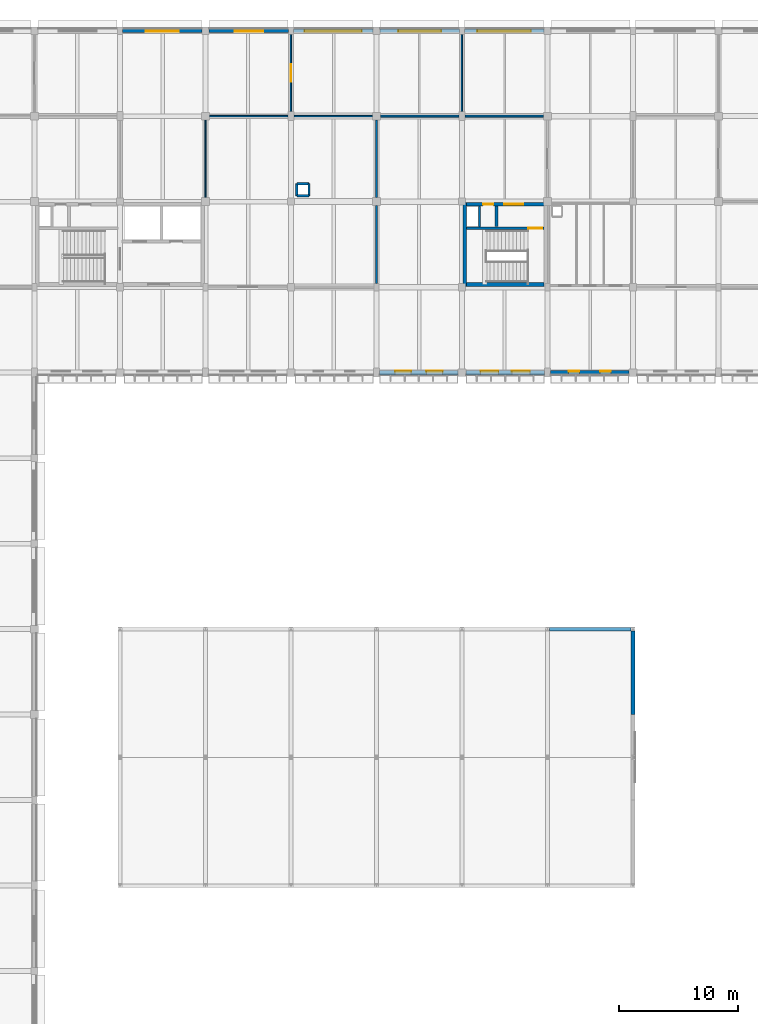
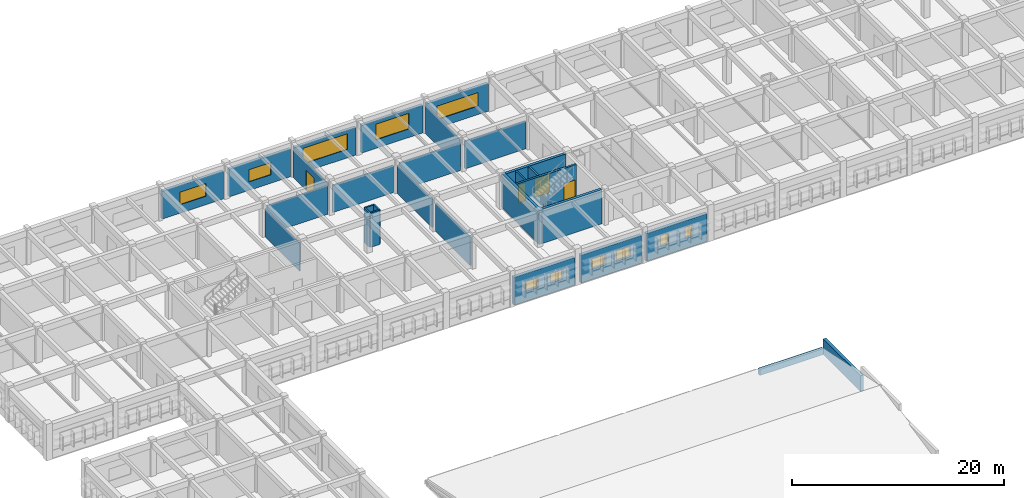
# One storey, part 88 of 103: 29 walls, 11 windows, 4 doors, 15 openings.
"""IFC4 building model written with IfcOpenShell, lengths in metres."""

from ifc_helpers import new_model, si_unit, direction, frame, frame_2d, origin, place, context, subcontext, project, spatial, rectangle, extrude, material, layer, layer_set, type_object, element, fill, save


model = new_model("IFC4")

# Units and contexts
model_context = context("Model", 3, precision=1e-05, world=origin(), true_north=direction((0.0, 1.0)))
body_context = subcontext(model_context, "Body", "Model", "MODEL_VIEW")
ifc_project = project(units=[si_unit("LENGTHUNIT", "METRE"), si_unit("AREAUNIT", "SQUARE_METRE"), si_unit("VOLUMEUNIT", "CUBIC_METRE"), si_unit("PLANEANGLEUNIT", "RADIAN"), si_unit("MASSUNIT", "GRAM", prefix="KILO")], contexts=[model_context])

# Site, building, storey
site_placement = place(None, origin())
site = spatial("IfcSite", under=ifc_project, at=site_placement, CompositionType="ELEMENT")
building_placement = place(site_placement, origin())
building = spatial("IfcBuilding", under=site, at=building_placement, Name="Thalmaran Polytechnic", CompositionType="ELEMENT")
storey_placement = place(building_placement, frame((0.0, 0.0, 14.39990234375)))
storey = spatial("IfcBuildingStorey", under=building, at=storey_placement, Name="L03", CompositionType="ELEMENT", Elevation=14.39990234375)

# Wall, openings, windows
ifc_material_1 = material(Name="Precast concrete C40/50", Category="concrete")
ifc_layer_1 = layer(ifc_material_1, 0.360107421875, Name="Precast concrete C40/50")
ifc_layer_set_1 = layer_set([ifc_layer_1], Name="Precast concrete C40/50")
wall_type_1 = type_object("IfcWallType", Name="WL-EW01", PredefinedType="STANDARD", material=ifc_layer_set_1)
wall_1_placement = place(storey_placement, frame((71.675048828125, 93.60009765625, 0.0), z_axis=(0.0, 0.0, 1.0), x_axis=(-1.0, 0.0, 0.0)))
wall_1 = element("IfcWall", 1, at=wall_1_placement, inside=storey, type_object=wall_type_1, Name="Exterior Precast Facade Wall L03-082", PredefinedType="STANDARD", context=body_context, shape_type="SweptSolid", body=[
    extrude(rectangle(XDim=6.625, YDim=0.360107421875, at=frame_2d((3.3125, 0.0))), origin(), (0.0, 0.0, 1.0), 3.18505859375),
])
opening_1_placement = place(wall_1_placement, frame((1.53759765625, 0.0, 1.14990234375)))
opening_1 = element("IfcOpeningElement", 2, at=opening_1_placement, cuts=wall_1, Name="Opening PW13", PredefinedType="OPENING", context=body_context, shape_type="SweptSolid", body=[
    extrude(rectangle(XDim=0.89990234375, YDim=1.300048828125, at=frame_2d((0.449951171875, 0.64990234375))), frame((0.0, 0.18994140625, 0.0), z_axis=(0.0, -1.0, 0.0), x_axis=(1.0, 0.0, 0.0)), (0.0, 0.0, 1.0), 0.380126953125),
])
opening_2_placement = place(wall_1_placement, frame((4.1875, 0.0, 1.14990234375)))
opening_2 = element("IfcOpeningElement", 3, at=opening_2_placement, cuts=wall_1, Name="Opening PW13", PredefinedType="OPENING", context=body_context, shape_type="SweptSolid", body=[
    extrude(rectangle(XDim=0.89990234375, YDim=1.300048828125, at=frame_2d((0.449951171875, 0.64990234375))), frame((0.0, 0.18994140625, 0.0), z_axis=(0.0, -1.0, 0.0), x_axis=(1.0, 0.0, 0.0)), (0.0, 0.0, 1.0), 0.380126953125),
])
ifc_material_2 = material(Name="Thermally broken aluminium and double low-E glass", Category="aluminium")
window_type_1 = type_object("IfcWindowType", Name="WN-PW03", PartitioningType="SINGLE_PANEL", PredefinedType="WINDOW", material=ifc_material_2)
window_1_placement = place(opening_1_placement, origin())
window_1 = element("IfcWindow", 4, at=window_1_placement, inside=storey, type_object=window_type_1, Name="Deep-Set Solar-Screened Window W-0493", OverallHeight=1.300048828125, OverallWidth=0.89990234375, PartitioningType="SINGLE_PANEL", PredefinedType="WINDOW", context=body_context, shape_type="SweptSolid", body=[
    extrude(rectangle(XDim=0.89990234375, YDim=1.300048828125, at=frame_2d((0.449951171875, 0.64990234375))), frame((0.0, -0.080078125, 0.0), z_axis=(0.0, -1.0, 0.0), x_axis=(1.0, 0.0, 0.0)), (0.0, 0.0, 1.0), 0.06005859375),
])
fill(opening_1, window_1)
window_2_placement = place(opening_2_placement, origin())
window_2 = element("IfcWindow", 5, at=window_2_placement, inside=storey, type_object=window_type_1, Name="Deep-Set Solar-Screened Window W-0494", OverallHeight=1.300048828125, OverallWidth=0.89990234375, PartitioningType="SINGLE_PANEL", PredefinedType="WINDOW", context=body_context, shape_type="SweptSolid", body=[
    extrude(rectangle(XDim=0.89990234375, YDim=1.300048828125, at=frame_2d((0.449951171875, 0.64990234375))), frame((0.0, -0.080078125, 0.0), z_axis=(0.0, -1.0, 0.0), x_axis=(1.0, 0.0, 0.0)), (0.0, 0.0, 1.0), 0.06005859375),
])
fill(opening_2, window_2)

wall_2_placement = place(storey_placement, frame((64.550048828125, 93.60009765625, 0.0), z_axis=(0.0, 0.0, 1.0), x_axis=(-1.0, 0.0, 0.0)))
wall_2 = element("IfcWall", 6, at=wall_2_placement, inside=storey, type_object=wall_type_1, Name="Exterior Precast Facade Wall L03-083", PredefinedType="STANDARD", context=body_context, shape_type="SweptSolid", body=[
    extrude(rectangle(XDim=6.625, YDim=0.360107421875, at=frame_2d((3.3125, 0.0))), origin(), (0.0, 0.0, 1.0), 3.18505859375),
])
opening_3_placement = place(wall_2_placement, frame((1.237548828125, 0.0, 1.14990234375)))
opening_3 = element("IfcOpeningElement", 7, at=opening_3_placement, cuts=wall_2, Name="Opening PW14", PredefinedType="OPENING", context=body_context, shape_type="SweptSolid", body=[
    extrude(rectangle(XDim=1.5, YDim=1.199951171875, at=frame_2d((0.75, 0.60009765625))), frame((0.0, 0.18994140625, 0.0), z_axis=(0.0, -1.0, 0.0), x_axis=(1.0, 0.0, 0.0)), (0.0, 0.0, 1.0), 0.380126953125),
])
opening_4_placement = place(wall_2_placement, frame((3.887451171875, 0.0, 1.14990234375)))
opening_4 = element("IfcOpeningElement", 8, at=opening_4_placement, cuts=wall_2, Name="Opening PW14", PredefinedType="OPENING", context=body_context, shape_type="SweptSolid", body=[
    extrude(rectangle(XDim=1.5, YDim=1.199951171875, at=frame_2d((0.75, 0.60009765625))), frame((0.0, 0.18994140625, 0.0), z_axis=(0.0, -1.0, 0.0), x_axis=(1.0, 0.0, 0.0)), (0.0, 0.0, 1.0), 0.380126953125),
])
window_type_2 = type_object("IfcWindowType", Name="WN-PW04", PartitioningType="DOUBLE_PANEL_VERTICAL", PredefinedType="WINDOW", material=ifc_material_2)
window_3_placement = place(opening_3_placement, origin())
window_3 = element("IfcWindow", 9, at=window_3_placement, inside=storey, type_object=window_type_2, Name="Deep-Set Solar-Screened Window W-0495", OverallHeight=1.199951171875, OverallWidth=1.5, PartitioningType="SINGLE_PANEL", PredefinedType="WINDOW", context=body_context, shape_type="SweptSolid", body=[
    extrude(rectangle(XDim=1.5, YDim=1.199951171875, at=frame_2d((0.75, 0.60009765625))), frame((0.0, -0.080078125, 0.0), z_axis=(0.0, -1.0, 0.0), x_axis=(1.0, 0.0, 0.0)), (0.0, 0.0, 1.0), 0.06005859375),
])
fill(opening_3, window_3)
window_4_placement = place(opening_4_placement, origin())
window_4 = element("IfcWindow", 10, at=window_4_placement, inside=storey, type_object=window_type_2, Name="Deep-Set Solar-Screened Window W-0496", OverallHeight=1.199951171875, OverallWidth=1.5, PartitioningType="SINGLE_PANEL", PredefinedType="WINDOW", context=body_context, shape_type="SweptSolid", body=[
    extrude(rectangle(XDim=1.5, YDim=1.199951171875, at=frame_2d((0.75, 0.60009765625))), frame((0.0, -0.080078125, 0.0), z_axis=(0.0, -1.0, 0.0), x_axis=(1.0, 0.0, 0.0)), (0.0, 0.0, 1.0), 0.06005859375),
])
fill(opening_4, window_4)

wall_3_placement = place(storey_placement, frame((57.27490234375, 93.60009765625, 0.0), z_axis=(0.0, 0.0, 1.0), x_axis=(-1.0, 0.0, 0.0)))
wall_3 = element("IfcWall", 11, at=wall_3_placement, inside=storey, type_object=wall_type_1, Name="Exterior Precast Facade Wall L03-084", PredefinedType="STANDARD", context=body_context, shape_type="SweptSolid", body=[
    extrude(rectangle(XDim=6.625, YDim=0.360107421875, at=frame_2d((3.3125, 0.0))), origin(), (0.0, 0.0, 1.0), 3.18505859375),
])
opening_5_placement = place(wall_3_placement, frame((1.3125, 0.0, 1.14990234375)))
opening_5 = element("IfcOpeningElement", 12, at=opening_5_placement, cuts=wall_3, Name="Opening PW15", PredefinedType="OPENING", context=body_context, shape_type="SweptSolid", body=[
    extrude(rectangle(XDim=1.35009765625, YDim=1.10009765625, at=frame_2d((0.675048828125, 0.550048828125))), frame((0.0, 0.18994140625, 0.0), z_axis=(0.0, -1.0, 0.0), x_axis=(1.0, 0.0, 0.0)), (0.0, 0.0, 1.0), 0.380126953125),
])
opening_6_placement = place(wall_3_placement, frame((3.96240234375, 0.0, 1.14990234375)))
opening_6 = element("IfcOpeningElement", 13, at=opening_6_placement, cuts=wall_3, Name="Opening PW15", PredefinedType="OPENING", context=body_context, shape_type="SweptSolid", body=[
    extrude(rectangle(XDim=1.35009765625, YDim=1.10009765625, at=frame_2d((0.675048828125, 0.550048828125))), frame((0.0, 0.18994140625, 0.0), z_axis=(0.0, -1.0, 0.0), x_axis=(1.0, 0.0, 0.0)), (0.0, 0.0, 1.0), 0.380126953125),
])
window_type_3 = type_object("IfcWindowType", Name="WN-PW05", PartitioningType="SINGLE_PANEL", PredefinedType="WINDOW", material=ifc_material_2)
window_5_placement = place(opening_5_placement, origin())
window_5 = element("IfcWindow", 14, at=window_5_placement, inside=storey, type_object=window_type_3, Name="Deep-Set Solar-Screened Window W-0497", OverallHeight=1.10009765625, OverallWidth=1.35009765625, PartitioningType="SINGLE_PANEL", PredefinedType="WINDOW", context=body_context, shape_type="SweptSolid", body=[
    extrude(rectangle(XDim=1.35009765625, YDim=1.10009765625, at=frame_2d((0.675048828125, 0.550048828125))), frame((0.0, -0.080078125, 0.0), z_axis=(0.0, -1.0, 0.0), x_axis=(1.0, 0.0, 0.0)), (0.0, 0.0, 1.0), 0.06005859375),
])
fill(opening_5, window_5)
window_6_placement = place(opening_6_placement, origin())
window_6 = element("IfcWindow", 15, at=window_6_placement, inside=storey, type_object=window_type_3, Name="Deep-Set Solar-Screened Window W-0498", OverallHeight=1.10009765625, OverallWidth=1.35009765625, PartitioningType="SINGLE_PANEL", PredefinedType="WINDOW", context=body_context, shape_type="SweptSolid", body=[
    extrude(rectangle(XDim=1.35009765625, YDim=1.10009765625, at=frame_2d((0.675048828125, 0.550048828125))), frame((0.0, -0.080078125, 0.0), z_axis=(0.0, -1.0, 0.0), x_axis=(1.0, 0.0, 0.0)), (0.0, 0.0, 1.0), 0.06005859375),
])
fill(opening_6, window_6)

# Walls
ifc_layer_2 = layer(ifc_material_1, 0.31005859375, Name="Precast concrete C40/50")
ifc_layer_set_2 = layer_set([ifc_layer_2], Name="Precast concrete C40/50")
wall_type_2 = type_object("IfcWallType", Name="WL-EW03", PredefinedType="STANDARD", material=ifc_layer_set_2)
wall_4_placement = place(storey_placement, frame((71.85009765625, 72.0, -0.02001953125), z_axis=(0.0, 0.0, 1.0), x_axis=(-1.0, 0.0, 0.0)))
element("IfcWall", 16, at=wall_4_placement, inside=storey, type_object=wall_type_2, Name="Refectory Roof Eave Spandrel N-09", PredefinedType="STANDARD", context=body_context, shape_type="SweptSolid", body=[
    extrude(rectangle(XDim=6.900146484375, YDim=0.31005859375, at=frame_2d((3.4501953125, 0.0))), origin(), (0.0, 0.0, 1.0), 0.690185546875),
])
wall_5_placement = place(storey_placement, frame((72.0, 64.81005859375, 0.0), z_axis=(0.0, 0.0, 1.0), x_axis=(0.0, 1.0, 0.0)))
element("IfcWall", 17, at=wall_5_placement, inside=storey, type_object=wall_type_2, Name="Refectory East Gable Clerestory Wall 9", PredefinedType="STANDARD", context=body_context, shape_type="SweptSolid", body=[
    extrude(rectangle(XDim=7.0400390625, YDim=0.31005859375, at=frame_2d((3.52001953125, 0.0))), origin(), (0.0, 0.0, 1.0), 1.798828125),
])

# Wall, opening, window
wall_6_placement = place(storey_placement, frame((29.010009765625, 122.39990234375, 0.0), z_axis=(0.0, 0.0, 1.0), x_axis=(1.0, 0.0, 0.0)))
wall_6 = element("IfcWall", 18, at=wall_6_placement, inside=storey, type_object=wall_type_2, Name="Exterior Precast Facade Wall L03-060", PredefinedType="STANDARD", context=body_context, shape_type="SweptSolid", body=[
    extrude(rectangle(XDim=6.679931640625, YDim=0.31005859375, at=frame_2d((3.33984375, 0.0))), origin(), (0.0, 0.0, 1.0), 3.18505859375),
])
opening_7_placement = place(wall_6_placement, frame((1.93994140625, 0.0, 0.97998046875)))
opening_7 = element("IfcOpeningElement", 19, at=opening_7_placement, cuts=wall_6, Name="Opening RW05", PredefinedType="OPENING", context=body_context, shape_type="SweptSolid", body=[
    extrude(rectangle(XDim=2.800048828125, YDim=1.449951171875, at=frame_2d((1.39990234375, 0.72509765625))), frame((0.0, 0.1650390625, 0.0), z_axis=(0.0, -1.0, 0.0), x_axis=(1.0, 0.0, 0.0)), (0.0, 0.0, 1.0), 0.330078125),
])
window_type_4 = type_object("IfcWindowType", Name="WN-RW05", PartitioningType="DOUBLE_PANEL_VERTICAL", PredefinedType="WINDOW", material=ifc_material_2)
window_7_placement = place(opening_7_placement, origin())
window_7 = element("IfcWindow", 20, at=window_7_placement, inside=storey, type_object=window_type_4, Name="Streamline Ribbon Window W-0465", OverallHeight=1.449951171875, OverallWidth=2.800048828125, PartitioningType="SINGLE_PANEL", PredefinedType="WINDOW", context=body_context, shape_type="SweptSolid", body=[
    extrude(rectangle(XDim=2.800048828125, YDim=1.449951171875, at=frame_2d((1.39990234375, 0.72509765625))), frame((0.0, -0.030029296875, 0.0), z_axis=(0.0, -1.0, 0.0), x_axis=(1.0, 0.0, 0.0)), (0.0, 0.0, 1.0), 0.06005859375),
])
fill(opening_7, window_7)

wall_7_placement = place(storey_placement, frame((36.31005859375, 122.39990234375, 0.0), z_axis=(0.0, 0.0, 1.0), x_axis=(1.0, 0.0, 0.0)))
wall_7 = element("IfcWall", 21, at=wall_7_placement, inside=storey, type_object=wall_type_2, Name="Exterior Precast Facade Wall L03-061", PredefinedType="STANDARD", context=body_context, shape_type="SweptSolid", body=[
    extrude(rectangle(XDim=6.679931640625, YDim=0.31005859375, at=frame_2d((3.33984375, 0.0))), origin(), (0.0, 0.0, 1.0), 3.18505859375),
])
opening_8_placement = place(wall_7_placement, frame((2.139892578125, 0.0, 0.97998046875)))
opening_8 = element("IfcOpeningElement", 22, at=opening_8_placement, cuts=wall_7, Name="Opening RW06", PredefinedType="OPENING", context=body_context, shape_type="SweptSolid", body=[
    extrude(rectangle(XDim=2.39990234375, YDim=1.39990234375, at=frame_2d((1.199951171875, 0.699951171875))), frame((0.0, 0.1650390625, 0.0), z_axis=(0.0, -1.0, 0.0), x_axis=(1.0, 0.0, 0.0)), (0.0, 0.0, 1.0), 0.330078125),
])
window_type_5 = type_object("IfcWindowType", Name="WN-RW06", PartitioningType="DOUBLE_PANEL_VERTICAL", PredefinedType="WINDOW", material=ifc_material_2)
window_8_placement = place(opening_8_placement, origin())
window_8 = element("IfcWindow", 23, at=window_8_placement, inside=storey, type_object=window_type_5, Name="Streamline Ribbon Window W-0466", OverallHeight=1.39990234375, OverallWidth=2.39990234375, PartitioningType="SINGLE_PANEL", PredefinedType="WINDOW", context=body_context, shape_type="SweptSolid", body=[
    extrude(rectangle(XDim=2.39990234375, YDim=1.39990234375, at=frame_2d((1.199951171875, 0.699951171875))), frame((0.0, -0.030029296875, 0.0), z_axis=(0.0, -1.0, 0.0), x_axis=(1.0, 0.0, 0.0)), (0.0, 0.0, 1.0), 0.06005859375),
])
fill(opening_8, window_8)

wall_8_placement = place(storey_placement, frame((43.409912109375, 122.39990234375, 0.0), z_axis=(0.0, 0.0, 1.0), x_axis=(1.0, 0.0, 0.0)))
wall_8 = element("IfcWall", 24, at=wall_8_placement, inside=storey, type_object=wall_type_2, Name="Exterior Precast Facade Wall L03-062", PredefinedType="STANDARD", context=body_context, shape_type="SweptSolid", body=[
    extrude(rectangle(XDim=6.68017578125, YDim=0.31005859375, at=frame_2d((3.340087890625, 0.0))), origin(), (0.0, 0.0, 1.0), 3.18505859375),
])
opening_9_placement = place(wall_8_placement, frame((0.93994140625, 0.0, 0.97998046875)))
opening_9 = element("IfcOpeningElement", 25, at=opening_9_placement, cuts=wall_8, Name="Opening RW07", PredefinedType="OPENING", context=body_context, shape_type="SweptSolid", body=[
    extrude(rectangle(XDim=4.800048828125, YDim=1.800048828125, at=frame_2d((2.39990234375, 0.89990234375))), frame((0.0, 0.1650390625, 0.0), z_axis=(0.0, -1.0, 0.0), x_axis=(1.0, 0.0, 0.0)), (0.0, 0.0, 1.0), 0.330078125),
])
window_type_6 = type_object("IfcWindowType", Name="WN-RW07", PartitioningType="TRIPLE_PANEL_HORIZONTAL", PredefinedType="WINDOW", material=ifc_material_2)
window_9_placement = place(opening_9_placement, origin())
window_9 = element("IfcWindow", 26, at=window_9_placement, inside=storey, type_object=window_type_6, Name="Streamline Ribbon Window W-0467", OverallHeight=1.800048828125, OverallWidth=4.800048828125, PartitioningType="SINGLE_PANEL", PredefinedType="WINDOW", context=body_context, shape_type="SweptSolid", body=[
    extrude(rectangle(XDim=4.800048828125, YDim=1.800048828125, at=frame_2d((2.39990234375, 0.89990234375))), frame((0.0, -0.030029296875, 0.0), z_axis=(0.0, -1.0, 0.0), x_axis=(1.0, 0.0, 0.0)), (0.0, 0.0, 1.0), 0.06005859375),
])
fill(opening_9, window_9)

wall_9_placement = place(storey_placement, frame((50.7099609375, 122.39990234375, 0.0), z_axis=(0.0, 0.0, 1.0), x_axis=(1.0, 0.0, 0.0)))
wall_9 = element("IfcWall", 27, at=wall_9_placement, inside=storey, type_object=wall_type_2, Name="Exterior Precast Facade Wall L03-063", PredefinedType="STANDARD", context=body_context, shape_type="SweptSolid", body=[
    extrude(rectangle(XDim=6.679931640625, YDim=0.31005859375, at=frame_2d((3.33984375, 0.0))), origin(), (0.0, 0.0, 1.0), 3.18505859375),
])
opening_10_placement = place(wall_9_placement, frame((1.5400390625, 0.0, 0.97998046875)))
opening_10 = element("IfcOpeningElement", 28, at=opening_10_placement, cuts=wall_9, Name="Opening RW08", PredefinedType="OPENING", context=body_context, shape_type="SweptSolid", body=[
    extrude(rectangle(XDim=3.60009765625, YDim=1.800048828125, at=frame_2d((1.800048828125, 0.89990234375))), frame((0.0, 0.1650390625, 0.0), z_axis=(0.0, -1.0, 0.0), x_axis=(1.0, 0.0, 0.0)), (0.0, 0.0, 1.0), 0.330078125),
])
window_type_7 = type_object("IfcWindowType", Name="WN-RW08", PartitioningType="DOUBLE_PANEL_VERTICAL", PredefinedType="WINDOW", material=ifc_material_2)
window_10_placement = place(opening_10_placement, origin())
window_10 = element("IfcWindow", 29, at=window_10_placement, inside=storey, type_object=window_type_7, Name="Streamline Ribbon Window W-0468", OverallHeight=1.800048828125, OverallWidth=3.60009765625, PartitioningType="SINGLE_PANEL", PredefinedType="WINDOW", context=body_context, shape_type="SweptSolid", body=[
    extrude(rectangle(XDim=3.60009765625, YDim=1.800048828125, at=frame_2d((1.800048828125, 0.89990234375))), frame((0.0, -0.030029296875, 0.0), z_axis=(0.0, -1.0, 0.0), x_axis=(1.0, 0.0, 0.0)), (0.0, 0.0, 1.0), 0.06005859375),
])
fill(opening_10, window_10)

wall_10_placement = place(storey_placement, frame((57.81005859375, 122.39990234375, 0.0), z_axis=(0.0, 0.0, 1.0), x_axis=(1.0, 0.0, 0.0)))
wall_10 = element("IfcWall", 30, at=wall_10_placement, inside=storey, type_object=wall_type_2, Name="Exterior Precast Facade Wall L03-064", PredefinedType="STANDARD", context=body_context, shape_type="SweptSolid", body=[
    extrude(rectangle(XDim=6.679931640625, YDim=0.31005859375, at=frame_2d((3.33984375, 0.0))), origin(), (0.0, 0.0, 1.0), 3.18505859375),
])
opening_11_placement = place(wall_10_placement, frame((1.090087890625, 0.0, 0.97998046875)))
opening_11 = element("IfcOpeningElement", 31, at=opening_11_placement, cuts=wall_10, Name="Opening VW01", PredefinedType="OPENING", context=body_context, shape_type="SweptSolid", body=[
    extrude(rectangle(XDim=4.5, YDim=1.550048828125, at=frame_2d((2.25, 0.77490234375))), frame((0.0, 0.1650390625, 0.0), z_axis=(0.0, -1.0, 0.0), x_axis=(1.0, 0.0, 0.0)), (0.0, 0.0, 1.0), 0.330078125),
])
window_type_8 = type_object("IfcWindowType", Name="WN-VZ01", PartitioningType="TRIPLE_PANEL_HORIZONTAL", PredefinedType="WINDOW", material=ifc_material_2)
window_11_placement = place(opening_11_placement, origin())
window_11 = element("IfcWindow", 32, at=window_11_placement, inside=storey, type_object=window_type_8, Name="Streamline Ribbon Window W-0469", OverallHeight=1.550048828125, OverallWidth=4.5, PartitioningType="SINGLE_PANEL", PredefinedType="WINDOW", context=body_context, shape_type="SweptSolid", body=[
    extrude(rectangle(XDim=4.5, YDim=1.550048828125, at=frame_2d((2.25, 0.77490234375))), frame((0.0, -0.030029296875, 0.0), z_axis=(0.0, -1.0, 0.0), x_axis=(1.0, 0.0, 0.0)), (0.0, 0.0, 1.0), 0.06005859375),
])
fill(opening_11, window_11)

# Walls
ifc_material_3 = material(Name="Autoclaved aerated masonry", Category="masonry")
ifc_layer_3 = layer(ifc_material_3, 0.22998046875, Name="Autoclaved aerated masonry")
ifc_layer_set_3 = layer_set([ifc_layer_3], Name="Autoclaved aerated masonry")
wall_type_3 = type_object("IfcWallType", Name="WL-IW02", PredefinedType="PARTITIONING", material=ifc_layer_set_3)
wall_11_placement = place(storey_placement, frame((60.5, 105.89990234375, 0.0), z_axis=(0.0, 0.0, 1.0), x_axis=(0.0, 1.0, 0.0)))
element("IfcWall", 33, at=wall_11_placement, inside=storey, type_object=wall_type_3, Name="Core C6 Riser Partition L03", PredefinedType="PARTITIONING", context=body_context, shape_type="SweptSolid", body=[
    extrude(rectangle(XDim=1.739990234375, YDim=0.22998046875, at=frame_2d((0.8701171875, 0.0))), origin(), (0.0, 0.0, 1.0), 3.940185546875),
])
ifc_layer_4 = layer(ifc_material_3, 0.179931640625, Name="Autoclaved aerated masonry")
ifc_layer_set_4 = layer_set([ifc_layer_4], Name="Autoclaved aerated masonry")
wall_type_4 = type_object("IfcWallType", Name="WL-IW04", PredefinedType="PARTITIONING", material=ifc_layer_set_4)
wall_12_placement = place(storey_placement, frame((59.080078125, 105.8798828125, 0.0), z_axis=(0.0, 0.0, 1.0), x_axis=(0.0, 1.0, 0.0)))
element("IfcWall", 34, at=wall_12_placement, inside=storey, type_object=wall_type_4, Name="Core C6 Riser Shaft Enclosure Wall L03", PredefinedType="PARTITIONING", context=body_context, shape_type="SweptSolid", body=[
    extrude(rectangle(XDim=1.760009765625, YDim=0.179931640625, at=frame_2d((0.8798828125, 0.0))), origin(), (0.0, 0.0, 1.0), 3.940185546875),
])
for number, where, z_axis, x_axis, name in (
    (35, (43.68994140625, 108.489990234375, 0.0), (0.0, 0.0, 1.0), (1.0, 0.0, 0.0), "Fume Exhaust Riser Shaft Wall L03 (6,15)-S"),
    (36, (44.7099609375, 108.489990234375, 0.0), (0.0, 0.0, 1.0), (0.0, 1.0, 0.0), "Fume Exhaust Riser Shaft Wall L03 (6,15)-E"),
    (37, (44.7099609375, 109.510009765625, 0.0), (0.0, 0.0, 1.0), (-1.0, 0.0, 0.0), "Fume Exhaust Riser Shaft Wall L03 (6,15)-N"),
    (38, (43.68994140625, 109.510009765625, 0.0), (0.0, 0.0, 1.0), (0.0, -1.0, 0.0), "Fume Exhaust Riser Shaft Wall L03 (6,15)-W"),
):
    element("IfcWall", number, at=place(storey_placement, frame(where, z_axis=z_axis, x_axis=x_axis)), inside=storey, type_object=wall_type_4, Name=name, PredefinedType="PARTITIONING", context=body_context, shape_type="SweptSolid", body=[
        extrude(rectangle(XDim=1.02001953125, YDim=0.179931640625, at=frame_2d((0.510009765625, 0.0))), origin(), (0.0, 0.0, 1.0), 3.940185546875),
    ])
ifc_material_4 = material(Name="Gypsum acoustic partition")
ifc_layer_5 = layer(ifc_material_4, 0.159912109375, Name="Gypsum acoustic partition")
ifc_layer_set_5 = layer_set([ifc_layer_5], Name="Gypsum acoustic partition")
wall_type_5 = type_object("IfcWallType", Name="WL-IW05", PredefinedType="PARTITIONING", material=ifc_layer_set_5)
wall_13_placement = place(storey_placement, frame((50.39990234375, 101.125, 0.0), z_axis=(0.0, 0.0, 1.0), x_axis=(0.0, 1.0, 0.0)))
element("IfcWall", 39, at=wall_13_placement, inside=storey, type_object=wall_type_5, Name="Interior Partition IW05 L03-040", PredefinedType="PARTITIONING", context=body_context, shape_type="SweptSolid", body=[
    extrude(rectangle(XDim=6.530029296875, YDim=0.159912109375, at=frame_2d((3.26513671875, 0.0))), origin(), (0.0, 0.0, 1.0), 3.25),
])
wall_14_placement = place(storey_placement, frame((50.39990234375, 108.344970703125, 0.0), z_axis=(0.0, 0.0, 1.0), x_axis=(0.0, 1.0, 0.0)))
element("IfcWall", 40, at=wall_14_placement, inside=storey, type_object=wall_type_5, Name="Interior Partition IW05 L03-041", PredefinedType="PARTITIONING", context=body_context, shape_type="SweptSolid", body=[
    extrude(rectangle(XDim=6.525146484375, YDim=0.159912109375, at=frame_2d((3.2626953125, 0.0))), origin(), (0.0, 0.0, 1.0), 3.2451171875),
])
wall_15_placement = place(storey_placement, frame((50.72998046875, 115.199951171875, 0.0), z_axis=(0.0, 0.0, 1.0), x_axis=(1.0, 0.0, 0.0)))
element("IfcWall", 41, at=wall_15_placement, inside=storey, type_object=wall_type_5, Name="Interior Partition IW05 L03-043", PredefinedType="PARTITIONING", context=body_context, shape_type="SweptSolid", body=[
    extrude(rectangle(XDim=6.614990234375, YDim=0.159912109375, at=frame_2d((3.3076171875, 0.0))), origin(), (0.0, 0.0, 1.0), 3.16015625),
])
wall_16_placement = place(storey_placement, frame((57.85498046875, 115.199951171875, 0.0), z_axis=(0.0, 0.0, 1.0), x_axis=(1.0, 0.0, 0.0)))
element("IfcWall", 42, at=wall_16_placement, inside=storey, type_object=wall_type_5, Name="Interior Partition IW05 L03-046", PredefinedType="PARTITIONING", context=body_context, shape_type="SweptSolid", body=[
    extrude(rectangle(XDim=6.614990234375, YDim=0.159912109375, at=frame_2d((3.3076171875, 0.0))), origin(), (0.0, 0.0, 1.0), 3.190185546875),
])

# Wall, opening, door
ifc_layer_6 = layer(ifc_material_4, 0.1298828125, Name="Gypsum acoustic partition")
ifc_layer_set_6 = layer_set([ifc_layer_6], Name="Gypsum acoustic partition")
wall_type_6 = type_object("IfcWallType", Name="WL-IW07", PredefinedType="PARTITIONING", material=ifc_layer_set_6)
wall_17_placement = place(storey_placement, frame((43.199951171875, 115.580078125, 0.0), z_axis=(0.0, 0.0, 1.0), x_axis=(0.0, 1.0, 0.0)))
wall_17 = element("IfcWall", 43, at=wall_17_placement, inside=storey, type_object=wall_type_6, Name="Interior Partition IW07 L03-038", PredefinedType="PARTITIONING", context=body_context, shape_type="SweptSolid", body=[
    extrude(rectangle(XDim=6.494873046875, YDim=0.1298828125, at=frame_2d((3.24755859375, 0.0))), origin(), (0.0, 0.0, 1.0), 3.2451171875),
])
opening_12_placement = place(wall_17_placement, frame((2.507568359375, 0.0, 0.0)))
opening_12 = element("IfcOpeningElement", 44, at=opening_12_placement, cuts=wall_17, Name="Opening D-L03-021-2-11-1", PredefinedType="OPENING", context=body_context, shape_type="SweptSolid", body=[
    extrude(rectangle(XDim=1.47998046875, YDim=2.280029296875, at=frame_2d((0.739990234375, 1.14013671875))), frame((0.0, 0.074951171875, 0.0), z_axis=(0.0, -1.0, 0.0), x_axis=(1.0, 0.0, 0.0)), (0.0, 0.0, 1.0), 0.14990234375),
])
ifc_material_5 = material(Name="Powder-coated fire-rated steel", Category="steel")
door_type_1 = type_object("IfcDoorType", Name="DR-ZD09", OperationType="NOTDEFINED", PredefinedType="DOOR", material=ifc_material_5)
door_1_placement = place(opening_12_placement, origin())
door_1 = element("IfcDoor", 45, at=door_1_placement, inside=storey, type_object=door_type_1, Name="Digital Learning Commons L03-11 Door 1", OperationType="SINGLE_SWING_LEFT", OverallHeight=2.280029296875, OverallWidth=1.47998046875, PredefinedType="DOOR", context=body_context, shape_type="SweptSolid", body=[
    extrude(rectangle(XDim=1.47998046875, YDim=2.280029296875, at=frame_2d((0.739990234375, 1.14013671875))), frame((0.0, 0.02490234375, 0.0), z_axis=(0.0, -1.0, 0.0), x_axis=(1.0, 0.0, 0.0)), (0.0, 0.0, 1.0), 0.050048828125),
])
fill(opening_12, door_1)

# Walls
wall_18_placement = place(storey_placement, frame((43.455078125, 115.199951171875, 0.0), z_axis=(0.0, 0.0, 1.0), x_axis=(1.0, 0.0, 0.0)))
element("IfcWall", 46, at=wall_18_placement, inside=storey, type_object=wall_type_6, Name="Interior Partition IW07 L03-042", PredefinedType="PARTITIONING", context=body_context, shape_type="SweptSolid", body=[
    extrude(rectangle(XDim=6.614990234375, YDim=0.1298828125, at=frame_2d((3.3076171875, 0.0))), origin(), (0.0, 0.0, 1.0), 3.14013671875),
])
wall_19_placement = place(storey_placement, frame((57.60009765625, 115.580078125, 0.0), z_axis=(0.0, 0.0, 1.0), x_axis=(0.0, 1.0, 0.0)))
element("IfcWall", 47, at=wall_19_placement, inside=storey, type_object=wall_type_6, Name="Interior Partition IW07 L03-044", PredefinedType="PARTITIONING", context=body_context, shape_type="SweptSolid", body=[
    extrude(rectangle(XDim=6.494873046875, YDim=0.1298828125, at=frame_2d((3.24755859375, 0.0))), origin(), (0.0, 0.0, 1.0), 3.2451171875),
])
ifc_layer_7 = layer(ifc_material_4, 0.114990234375, Name="Gypsum acoustic partition")
ifc_layer_set_7 = layer_set([ifc_layer_7], Name="Gypsum acoustic partition")
wall_type_7 = type_object("IfcWallType", Name="WL-IW08", PredefinedType="PARTITIONING", material=ifc_layer_set_7)
wall_20_placement = place(storey_placement, frame((36.0, 108.344970703125, 0.0), z_axis=(0.0, 0.0, 1.0), x_axis=(0.0, 1.0, 0.0)))
element("IfcWall", 48, at=wall_20_placement, inside=storey, type_object=wall_type_7, Name="Interior Partition IW08 L03-035", PredefinedType="PARTITIONING", context=body_context, shape_type="SweptSolid", body=[
    extrude(rectangle(XDim=6.525146484375, YDim=0.114990234375, at=frame_2d((3.2626953125, 0.0))), origin(), (0.0, 0.0, 1.0), 3.2451171875),
])
wall_21_placement = place(storey_placement, frame((36.330078125, 115.199951171875, 0.0), z_axis=(0.0, 0.0, 1.0), x_axis=(1.0, 0.0, 0.0)))
element("IfcWall", 49, at=wall_21_placement, inside=storey, type_object=wall_type_7, Name="Interior Partition IW08 L03-037", PredefinedType="PARTITIONING", context=body_context, shape_type="SweptSolid", body=[
    extrude(rectangle(XDim=6.614990234375, YDim=0.114990234375, at=frame_2d((3.3076171875, 0.0))), origin(), (0.0, 0.0, 1.0), 3.300048828125),
])
ifc_material_6 = material(Name="Concrete C50/60", Category="concrete")
ifc_layer_8 = layer(ifc_material_6, 0.300048828125, Name="Concrete C50/60")
ifc_layer_set_8 = layer_set([ifc_layer_8], Name="Concrete C50/60")
wall_type_8 = type_object("IfcWallType", Name="WL-SW04", PredefinedType="SHEAR", material=ifc_layer_set_8)
wall_22_placement = place(storey_placement, frame((57.969970703125, 101.02001953125, 0.0), z_axis=(0.0, 0.0, 1.0), x_axis=(1.0, 0.0, 0.0)))
element("IfcWall", 50, at=wall_22_placement, inside=storey, type_object=wall_type_8, Name="Core C6 South Shear Wall L03", PredefinedType="SHEAR", context=body_context, shape_type="SweptSolid", body=[
    extrude(rectangle(XDim=6.5400390625, YDim=0.300048828125, at=frame_2d((3.27001953125, 0.0))), origin(), (0.0, 0.0, 1.0), 3.940185546875),
])
wall_23_placement = place(storey_placement, frame((57.820068359375, 107.929931640625, 0.0), z_axis=(0.0, 0.0, 1.0), x_axis=(0.0, -1.0, 0.0)))
element("IfcWall", 51, at=wall_23_placement, inside=storey, type_object=wall_type_8, Name="Core C6 West Shear Wall L03", PredefinedType="SHEAR", context=body_context, shape_type="SweptSolid", body=[
    extrude(rectangle(XDim=7.059814453125, YDim=0.300048828125, at=frame_2d((3.52978515625, 0.0))), origin(), (0.0, 0.0, 1.0), 3.940185546875),
])

# Wall, openings, doors
wall_24_placement = place(storey_placement, frame((57.969970703125, 107.780029296875, 0.0), z_axis=(0.0, 0.0, 1.0), x_axis=(1.0, 0.0, 0.0)))
wall_24 = element("IfcWall", 52, at=wall_24_placement, inside=storey, type_object=wall_type_8, Name="Core C6 North Shear Wall L03", PredefinedType="SHEAR", context=body_context, shape_type="SweptSolid", body=[
    extrude(rectangle(XDim=6.5400390625, YDim=0.300048828125, at=frame_2d((3.27001953125, 0.0))), origin(), (0.0, 0.0, 1.0), 3.940185546875),
])
opening_13_placement = place(wall_24_placement, frame((1.419921875, 0.0, 0.0)))
opening_13 = element("IfcOpeningElement", 53, at=opening_13_placement, cuts=wall_24, Name="Opening DR-C6-L03-R", PredefinedType="OPENING", context=body_context, shape_type="SweptSolid", body=[
    extrude(rectangle(XDim=0.85009765625, YDim=2.10009765625, at=frame_2d((0.425048828125, 1.050048828125))), frame((0.0, 0.159912109375, 0.0), z_axis=(0.0, -1.0, 0.0), x_axis=(1.0, 0.0, 0.0)), (0.0, 0.0, 1.0), 0.320068359375),
])
opening_14_placement = place(wall_24_placement, frame((3.199951171875, 0.0, 0.0)))
opening_14 = element("IfcOpeningElement", 54, at=opening_14_placement, cuts=wall_24, Name="Opening LD-C6-L03", PredefinedType="OPENING", context=body_context, shape_type="SweptSolid", body=[
    extrude(rectangle(XDim=1.60009765625, YDim=2.199951171875, at=frame_2d((0.800048828125, 1.10009765625))), frame((0.0, 0.159912109375, 0.0), z_axis=(0.0, -1.0, 0.0), x_axis=(1.0, 0.0, 0.0)), (0.0, 0.0, 1.0), 0.320068359375),
])
door_type_2 = type_object("IfcDoorType", Name="DR-FD05", OperationType="NOTDEFINED", PredefinedType="DOOR", material=ifc_material_5)
door_2_placement = place(opening_14_placement, frame((1.60009765625, 0.0, 0.0), z_axis=(0.0, 0.0, 1.0), x_axis=(-1.0, 0.0, 0.0)))
door_2 = element("IfcDoor", 55, at=door_2_placement, inside=storey, type_object=door_type_2, Name="Stair Lobby Fire Door C6 L03", OperationType="DOUBLE_DOOR_SINGLE_SWING", OverallHeight=2.199951171875, OverallWidth=1.60009765625, PredefinedType="DOOR", context=body_context, shape_type="SweptSolid", body=[
    extrude(rectangle(XDim=1.60009765625, YDim=2.199951171875, at=frame_2d((0.800048828125, 1.10009765625))), frame((0.0, 0.02490234375, 0.0), z_axis=(0.0, -1.0, 0.0), x_axis=(1.0, 0.0, 0.0)), (0.0, 0.0, 1.0), 0.050048828125),
])
fill(opening_14, door_2)
door_type_3 = type_object("IfcDoorType", Name="DR-FD09", OperationType="NOTDEFINED", PredefinedType="DOOR", material=ifc_material_5)
door_3_placement = place(opening_13_placement, origin())
door_3 = element("IfcDoor", 56, at=door_3_placement, inside=storey, type_object=door_type_3, Name="Riser Access Fire Door C6 L03", OperationType="SINGLE_SWING_RIGHT", OverallHeight=2.10009765625, OverallWidth=0.85009765625, PredefinedType="DOOR", context=body_context, shape_type="SweptSolid", body=[
    extrude(rectangle(XDim=0.85009765625, YDim=2.10009765625, at=frame_2d((0.425048828125, 1.050048828125))), frame((0.0, 0.02490234375, 0.0), z_axis=(0.0, -1.0, 0.0), x_axis=(1.0, 0.0, 0.0)), (0.0, 0.0, 1.0), 0.050048828125),
])
fill(opening_13, door_3)

# Wall, opening, door
wall_25_placement = place(storey_placement, frame((57.969970703125, 105.760009765625, 0.0), z_axis=(0.0, 0.0, 1.0), x_axis=(1.0, 0.0, 0.0)))
wall_25 = element("IfcWall", 57, at=wall_25_placement, inside=storey, type_object=wall_type_8, Name="Core C6 Stair Partition L03", PredefinedType="SHEAR", context=body_context, shape_type="SweptSolid", body=[
    extrude(rectangle(XDim=6.5400390625, YDim=0.219970703125, at=frame_2d((3.27001953125, 0.0))), origin(), (0.0, 0.0, 1.0), 3.940185546875),
])
opening_15_placement = place(wall_25_placement, frame((5.199951171875, 0.0, 0.0)))
opening_15 = element("IfcOpeningElement", 58, at=opening_15_placement, cuts=wall_25, Name="Opening SD-ST6-L03", PredefinedType="OPENING", context=body_context, shape_type="SweptSolid", body=[
    extrude(rectangle(XDim=1.199951171875, YDim=2.199951171875, at=frame_2d((0.60009765625, 1.10009765625))), frame((0.0, 0.119873046875, 0.0), z_axis=(0.0, -1.0, 0.0), x_axis=(1.0, 0.0, 0.0)), (0.0, 0.0, 1.0), 0.239990234375),
])
door_type_4 = type_object("IfcDoorType", Name="DR-FD04", OperationType="NOTDEFINED", PredefinedType="DOOR", material=ifc_material_5)
door_4_placement = place(opening_15_placement, origin())
door_4 = element("IfcDoor", 59, at=door_4_placement, inside=storey, type_object=door_type_4, Name="Exit Stair Fire Door ST6 L03", OperationType="DOUBLE_DOOR_SINGLE_SWING", OverallHeight=2.199951171875, OverallWidth=1.199951171875, PredefinedType="DOOR", context=body_context, shape_type="SweptSolid", body=[
    extrude(rectangle(XDim=1.199951171875, YDim=2.199951171875, at=frame_2d((0.60009765625, 1.10009765625))), frame((0.0, 0.02490234375, 0.0), z_axis=(0.0, -1.0, 0.0), x_axis=(1.0, 0.0, 0.0)), (0.0, 0.0, 1.0), 0.050048828125),
])
fill(opening_15, door_4)

save(model, "model.ifc")
